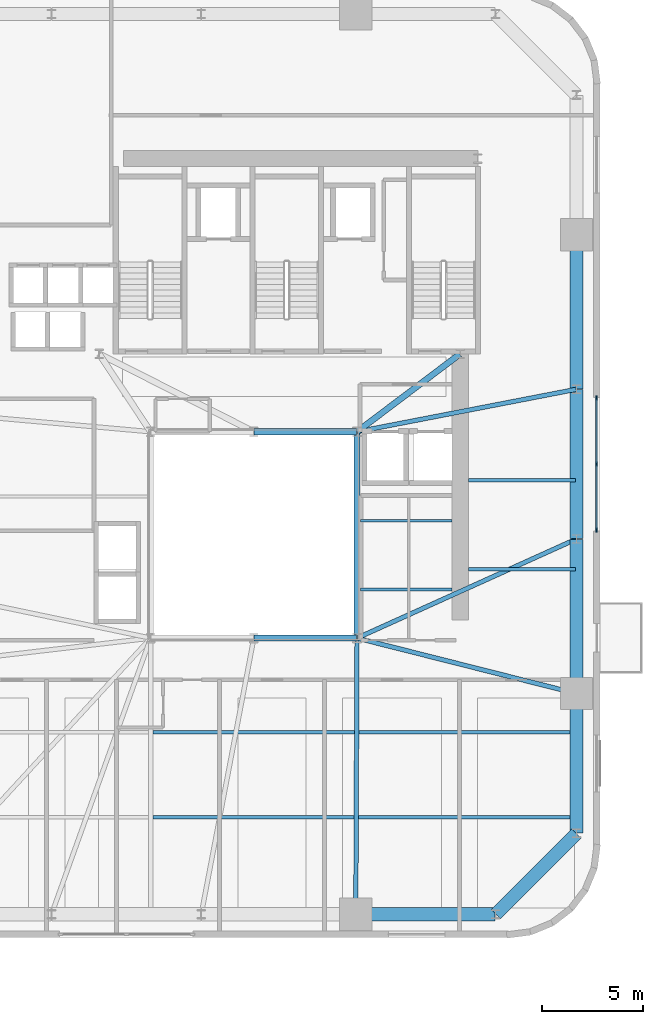
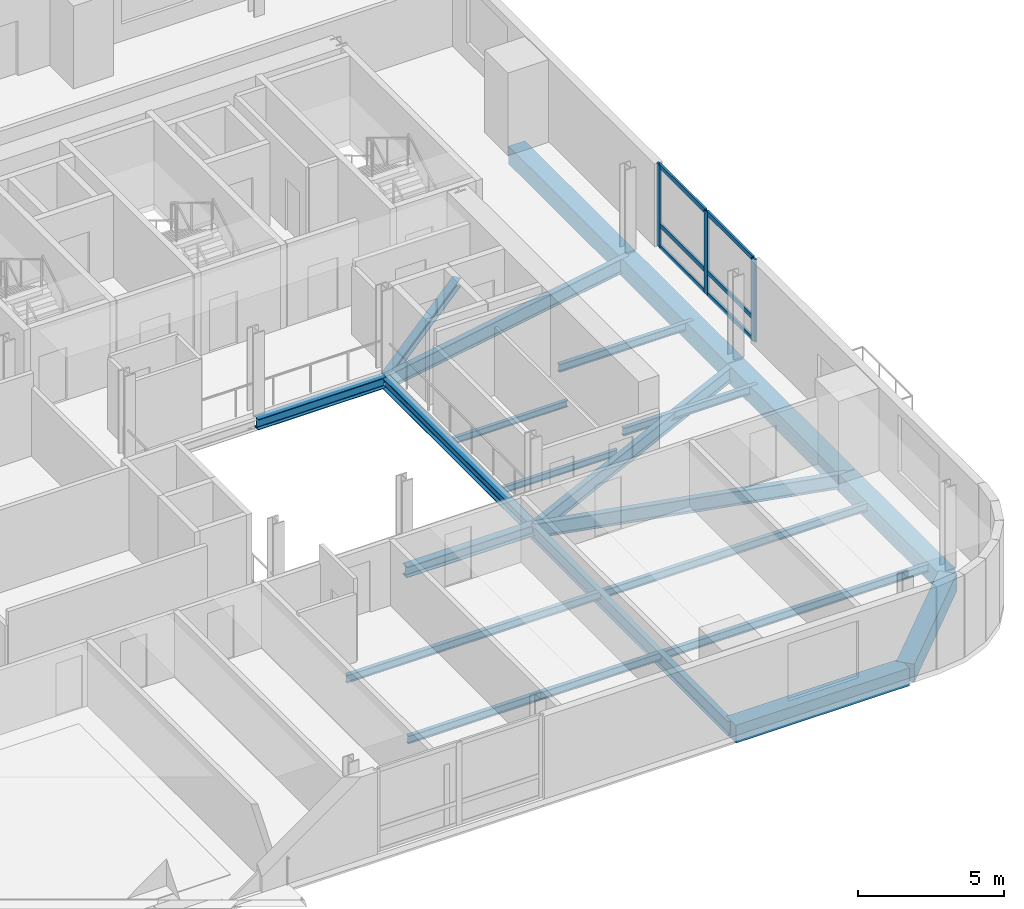
# One storey, part 3 of 14: 20 beams, 9 members, 1 element without a shape of its own.
"""IFC4 building model written with IfcOpenShell, lengths in metres."""

from ifc_helpers import new_model, si_unit, direction, frame, origin, origin_2d, place, context, subcontext, project, spatial, rectangle, i_section, extrude, source, transform, mapped, material, material_profile, profile_set, type_object, element, aggregate, save


model = new_model("IFC4")

# Units and contexts
model_context = context("Model", 3, precision=1e-05, world=origin(), true_north=direction((0.0, 1.0)))
body_context = subcontext(model_context, "Body", "Model", "MODEL_VIEW")
ifc_project = project(units=[si_unit("LENGTHUNIT", "METRE"), si_unit("AREAUNIT", "SQUARE_METRE"), si_unit("VOLUMEUNIT", "CUBIC_METRE"), si_unit("PLANEANGLEUNIT", "RADIAN"), si_unit("MASSUNIT", "GRAM", prefix="KILO")], contexts=[model_context])

# Site, building, storey
site_placement = place(None, origin())
site = spatial("IfcSite", under=ifc_project, at=site_placement, CompositionType="ELEMENT")
building_placement = place(site_placement, origin())
building = spatial("IfcBuilding", under=site, at=building_placement, Name="Vardaveli Station Tower", CompositionType="ELEMENT")
storey_placement = place(building_placement, frame((0.0, 0.0, 111.300048828125)))
storey = spatial("IfcBuildingStorey", under=building, at=storey_placement, Name="L28", CompositionType="ELEMENT", Elevation=111.300048828125)

# Beams
ifc_material_1 = material(Name="Structural steel S355J2", Category="steel")
ifc_material_profile_1 = material_profile(ifc_material_1, i_section(OverallWidth=0.300048828125, OverallDepth=0.449951171875, WebThickness=0.013916015625, FlangeThickness=0.02587890625, FilletRadius=0.027099609375, at=origin_2d()), Name="HEB 450")
ifc_profile_set_1 = profile_set([ifc_material_profile_1], Name="Structural steel S355J2")
beam_type_1 = type_object("IfcBeamType", Name="BM-HEB450", PredefinedType="BEAM", material=ifc_profile_set_1)
shared_shape_1 = source(origin(), body_context, "Body", "SweptSolid", [
    extrude(i_section(OverallWidth=0.300048828125, OverallDepth=0.449951171875, WebThickness=0.013916015625, FlangeThickness=0.02587890625, FilletRadius=0.027099609375, at=origin_2d()), origin(), (0.0, 0.0, 1.0), 5.059814453125),
])
for number, where, z_axis, x_axis, name in (
    (1, (36.320068359375, 16.60009765625, -0.465087890625), (1.0, 0.0, 0.0), (0.0, 1.0, 0.0), "ABM-L28-02"),
    (2, (41.3798828125, 26.800048828125, -0.465087890625), (-1.0, 0.0, 0.0), (0.0, -1.0, 0.0), "ABM-L28-04"),
):
    element("IfcBeam", number, at=place(storey_placement, frame(where, z_axis=z_axis, x_axis=x_axis)), inside=storey, type_object=beam_type_1, Name=name, PredefinedType="BEAM", context=body_context, shape_type="MappedRepresentation", body=[
        mapped(shared_shape_1, transform((0.0, 0.0, 0.0), scale=1.0)),
    ])
shared_shape_2 = source(origin(), body_context, "Body", "SweptSolid", [
    extrude(i_section(OverallWidth=0.300048828125, OverallDepth=0.449951171875, WebThickness=0.013916015625, FlangeThickness=0.02587890625, FilletRadius=0.027099609375, at=origin_2d()), origin(), (0.0, 0.0, 1.0), 10.159912109375),
])
beam_1_placement = place(storey_placement, frame((41.39990234375, 16.6201171875, -0.465087890625), z_axis=(0.0, 1.0, 0.0), x_axis=(-1.0, 0.0, 0.0)))
element("IfcBeam", 3, at=beam_1_placement, inside=storey, type_object=beam_type_1, Name="ABM-L28-03", PredefinedType="BEAM", context=body_context, shape_type="MappedRepresentation", body=[
    mapped(shared_shape_2, transform((0.0, 0.0, 0.0), scale=1.0)),
])
ifc_material_profile_2 = material_profile(ifc_material_1, i_section(OverallWidth=0.300048828125, OverallDepth=0.360107421875, WebThickness=0.012451171875, FlangeThickness=0.0224609375, FilletRadius=0.027099609375, at=origin_2d()), Name="HEB 360")
ifc_profile_set_2 = profile_set([ifc_material_profile_2], Name="Structural steel S355J2")
beam_type_2 = type_object("IfcBeamType", Name="BM-HEB360", PredefinedType="BEAM", material=ifc_profile_set_2)
shared_shape_3 = source(origin(), body_context, "Body", "SweptSolid", [
    extrude(i_section(OverallWidth=0.300048828125, OverallDepth=0.360107421875, WebThickness=0.012451171875, FlangeThickness=0.0224609375, FilletRadius=0.027099609375, at=origin_2d()), origin(), (0.0, 0.0, 1.0), 6.35009765625),
])
beam_2_placement = place(storey_placement, frame((41.416015625, 26.81201171875, -0.420166015625), z_axis=(0.798118337722, 0.602500721154, 0.0), x_axis=(-0.602500721154, 0.798118337722, 0.0)))
element("IfcBeam", 4, at=beam_2_placement, inside=storey, type_object=beam_type_2, Name="CBM-L28-02", PredefinedType="BEAM", context=body_context, shape_type="MappedRepresentation", body=[
    mapped(shared_shape_3, transform((0.0, 0.0, 0.0), scale=1.0)),
])
ifc_material_2 = material(Name="Precast concrete C45/55", Category="concrete")
ifc_material_profile_3 = material_profile(ifc_material_2, rectangle(XDim=0.64990234375, YDim=0.75, at=origin_2d()), Name="LPB 650x750")
ifc_profile_set_3 = profile_set([ifc_material_profile_3], Name="Precast concrete C45/55")
beam_type_3 = type_object("IfcBeamType", Name="BM-LPB-750", PredefinedType="BEAM", material=ifc_profile_set_3)
shared_shape_4 = source(origin(), body_context, "Body", "SweptSolid", [
    extrude(rectangle(XDim=0.64990234375, YDim=0.75, at=origin_2d()), origin(), (0.0, 0.0, 1.0), 7.60009765625),
])
for number, where, z_axis, x_axis, name in (
    (5, (52.25, 13.8798828125, -0.614990234375), (0.0, 1.0, 0.0), (-1.0, 0.0, 0.0), "RBM-L28-07"),
    (6, (52.25, 28.919921875, -0.614990234375), (0.0, 1.0, 0.0), (-1.0, 0.0, 0.0), "RBM-L28-09"),
):
    element("IfcBeam", number, at=place(storey_placement, frame(where, z_axis=z_axis, x_axis=x_axis)), inside=storey, type_object=beam_type_3, Name=name, PredefinedType="BEAM", context=body_context, shape_type="MappedRepresentation", body=[
        mapped(shared_shape_4, transform((0.0, 0.0, 0.0), scale=1.0)),
    ])
shared_shape_5 = source(origin(), body_context, "Body", "SweptSolid", [
    extrude(rectangle(XDim=0.64990234375, YDim=0.75, at=origin_2d()), origin(), (0.0, 0.0, 1.0), 7.35986328125),
])
beam_3_placement = place(storey_placement, frame((52.25, 21.52001953125, -0.614990234375), z_axis=(0.0, 1.0, 0.0), x_axis=(-1.0, 0.0, 0.0)))
element("IfcBeam", 7, at=beam_3_placement, inside=storey, type_object=beam_type_3, Name="RBM-L28-08", PredefinedType="BEAM", context=body_context, shape_type="MappedRepresentation", body=[
    mapped(shared_shape_5, transform((0.0, 0.0, 0.0), scale=1.0)),
])
shared_shape_6 = source(origin(), body_context, "Body", "SweptSolid", [
    extrude(rectangle(XDim=0.64990234375, YDim=0.75, at=origin_2d()), origin(), (0.0, 0.0, 1.0), 6.869873046875),
])
beam_4_placement = place(storey_placement, frame((41.360107421875, 2.949951171875, -0.614990234375), z_axis=(1.0, 0.0, 0.0), x_axis=(0.0, 1.0, 0.0)))
element("IfcBeam", 8, at=beam_4_placement, inside=storey, type_object=beam_type_3, Name="RBM-L28-04", PredefinedType="BEAM", context=body_context, shape_type="MappedRepresentation", body=[
    mapped(shared_shape_6, transform((0.0, 0.0, 0.0), scale=1.0)),
])
shared_shape_7 = source(origin(), body_context, "Body", "SweptSolid", [
    extrude(rectangle(XDim=0.64990234375, YDim=0.75, at=origin_2d()), origin(), (0.0, 0.0, 1.0), 5.61669921875),
])
beam_5_placement = place(storey_placement, frame((48.26416015625, 2.964111328125, -0.614990234375), z_axis=(0.707106781187, 0.707106781187, 0.0), x_axis=(-0.707106781187, 0.707106781187, 0.0)))
element("IfcBeam", 9, at=beam_5_placement, inside=storey, type_object=beam_type_3, Name="RBM-L28-05", PredefinedType="BEAM", context=body_context, shape_type="MappedRepresentation", body=[
    mapped(shared_shape_7, transform((0.0, 0.0, 0.0), scale=1.0)),
])
shared_shape_8 = source(origin(), body_context, "Body", "SweptSolid", [
    extrude(rectangle(XDim=0.64990234375, YDim=0.75, at=origin_2d()), origin(), (0.0, 0.0, 1.0), 6.8701171875),
])
beam_6_placement = place(storey_placement, frame((52.25, 6.969970703125, -0.614990234375), z_axis=(0.0, 1.0, 0.0), x_axis=(-1.0, 0.0, 0.0)))
element("IfcBeam", 10, at=beam_6_placement, inside=storey, type_object=beam_type_3, Name="RBM-L28-06", PredefinedType="BEAM", context=body_context, shape_type="MappedRepresentation", body=[
    mapped(shared_shape_8, transform((0.0, 0.0, 0.0), scale=1.0)),
])
ifc_material_profile_4 = material_profile(ifc_material_1, i_section(OverallWidth=0.159912109375, OverallDepth=0.330078125, WebThickness=0.007568359375, FlangeThickness=0.011474609375, FilletRadius=0.01806640625, at=origin_2d()), Name="IPE 330")
ifc_profile_set_4 = profile_set([ifc_material_profile_4], Name="Structural steel S355J2")
beam_type_4 = type_object("IfcBeamType", Name="BM-IPE330", PredefinedType="JOIST", material=ifc_profile_set_4)
shared_shape_9 = source(origin(), body_context, "Body", "SweptSolid", [
    extrude(i_section(OverallWidth=0.159912109375, OverallDepth=0.330078125, WebThickness=0.007568359375, FlangeThickness=0.011474609375, FilletRadius=0.01806640625, at=origin_2d()), origin(), (0.0, 0.0, 1.0), 20.89794921875),
])
for number, where, z_axis, x_axis, name in (
    (11, (31.31201171875, 7.75, -0.405029296875), (1.0, 0.0, 0.0), (0.0, 1.0, 0.0), "SJ-L28-S02"),
    (12, (31.31201171875, 11.949951171875, -0.405029296875), (1.0, 0.0, 0.0), (0.0, 1.0, 0.0), "SJ-L28-S04"),
):
    element("IfcBeam", number, at=place(storey_placement, frame(where, z_axis=z_axis, x_axis=x_axis)), inside=storey, type_object=beam_type_4, Name=name, PredefinedType="JOIST", context=body_context, shape_type="MappedRepresentation", body=[
        mapped(shared_shape_9, transform((0.0, 0.0, 0.0), scale=1.0)),
    ])
shared_shape_10 = source(origin(), body_context, "Body", "SweptSolid", [
    extrude(i_section(OverallWidth=0.159912109375, OverallDepth=0.330078125, WebThickness=0.007568359375, FlangeThickness=0.011474609375, FilletRadius=0.01806640625, at=origin_2d()), origin(), (0.0, 0.0, 1.0), 5.304931640625),
])
for number, where, z_axis, x_axis, name in (
    (13, (46.905029296875, 20.0, -0.405029296875), (1.0, 0.0, 0.0), (0.0, 1.0, 0.0), "SJ-L28-E07"),
    (14, (46.905029296875, 24.39990234375, -0.405029296875), (1.0, 0.0, 0.0), (0.0, 1.0, 0.0), "SJ-L28-E08"),
):
    element("IfcBeam", number, at=place(storey_placement, frame(where, z_axis=z_axis, x_axis=x_axis)), inside=storey, type_object=beam_type_4, Name=name, PredefinedType="JOIST", context=body_context, shape_type="MappedRepresentation", body=[
        mapped(shared_shape_10, transform((0.0, 0.0, 0.0), scale=1.0)),
    ])
ifc_material_profile_5 = material_profile(ifc_material_1, i_section(OverallWidth=0.135009765625, OverallDepth=0.27001953125, WebThickness=0.006591796875, FlangeThickness=0.01025390625, FilletRadius=0.014892578125, at=origin_2d()), Name="IPE 270")
ifc_profile_set_5 = profile_set([ifc_material_profile_5], Name="Structural steel S355J2")
beam_type_5 = type_object("IfcBeamType", Name="BM-IPE270", PredefinedType="BEAM", material=ifc_profile_set_5)
shared_shape_11 = source(origin(), body_context, "Body", "SweptSolid", [
    extrude(i_section(OverallWidth=0.135009765625, OverallDepth=0.27001953125, WebThickness=0.006591796875, FlangeThickness=0.01025390625, FilletRadius=0.014892578125, at=origin_2d()), origin(), (0.0, 0.0, 1.0), 4.530029296875),
])
for number, where, z_axis, x_axis, name in (
    (15, (41.56494140625, 19.0, -0.375), (1.0, 0.0, 0.0), (0.0, 1.0, 0.0), "TJ-L28-01"),
    (16, (41.56494140625, 22.39990234375, -0.375), (1.0, 0.0, 0.0), (0.0, 1.0, 0.0), "TJ-L28-02"),
):
    element("IfcBeam", number, at=place(storey_placement, frame(where, z_axis=z_axis, x_axis=x_axis)), inside=storey, type_object=beam_type_5, Name=name, PredefinedType="BEAM", context=body_context, shape_type="MappedRepresentation", body=[
        mapped(shared_shape_11, transform((0.0, 0.0, 0.0), scale=1.0)),
    ])
ifc_material_profile_6 = material_profile(ifc_material_1, i_section(OverallWidth=0.219970703125, OverallDepth=0.60009765625, WebThickness=0.011962890625, FlangeThickness=0.01904296875, FilletRadius=0.02392578125, at=origin_2d()), Name="IPE 600")
ifc_profile_set_6 = profile_set([ifc_material_profile_6], Name="Structural steel S355J2")
beam_type_6 = type_object("IfcBeamType", Name="BM-IPE600", PredefinedType="BEAM", material=ifc_profile_set_6)
shared_shape_12 = source(origin(), body_context, "Body", "SweptSolid", [
    extrude(i_section(OverallWidth=0.219970703125, OverallDepth=0.60009765625, WebThickness=0.011962890625, FlangeThickness=0.01904296875, FilletRadius=0.02392578125, at=origin_2d()), origin(), (0.0, 0.0, 1.0), 13.6103515625),
])
beam_7_placement = place(storey_placement, frame((41.340087890625, 2.969970703125, -0.5400390625), z_axis=(0.004394812886, 0.999990342763, 0.0), x_axis=(-0.999990342763, 0.004394812886, 0.0)))
element("IfcBeam", 17, at=beam_7_placement, inside=storey, type_object=beam_type_6, Name="GBM-L28-04", PredefinedType="BEAM", context=body_context, shape_type="MappedRepresentation", body=[
    mapped(shared_shape_12, transform((0.0, 0.0, 0.0), scale=1.0)),
])
shared_shape_13 = source(origin(), body_context, "Body", "SweptSolid", [
    extrude(i_section(OverallWidth=0.219970703125, OverallDepth=0.60009765625, WebThickness=0.011962890625, FlangeThickness=0.01904296875, FilletRadius=0.02392578125, at=origin_2d()), origin(), (0.0, 0.0, 1.0), 11.150634765625),
])
beam_8_placement = place(storey_placement, frame((52.230712890625, 13.864990234375, -0.5400390625), z_axis=(-0.969561465826, 0.244848042642, 0.0), x_axis=(-0.244848042642, -0.969561465826, 0.0)))
element("IfcBeam", 18, at=beam_8_placement, inside=storey, type_object=beam_type_6, Name="GBM-L28-05", PredefinedType="BEAM", context=body_context, shape_type="MappedRepresentation", body=[
    mapped(shared_shape_13, transform((0.0, 0.0, 0.0), scale=1.0)),
])
shared_shape_14 = source(origin(), body_context, "Body", "SweptSolid", [
    extrude(i_section(OverallWidth=0.219970703125, OverallDepth=0.60009765625, WebThickness=0.011962890625, FlangeThickness=0.01904296875, FilletRadius=0.02392578125, at=origin_2d()), origin(), (0.0, 0.0, 1.0), 11.864990234375),
])
beam_9_placement = place(storey_placement, frame((52.231689453125, 21.49169921875, -0.5400390625), z_axis=(-0.911369354756, -0.411589478985, 0.0), x_axis=(0.411589478985, -0.911369354756, 0.0)))
element("IfcBeam", 19, at=beam_9_placement, inside=storey, type_object=beam_type_6, Name="GBM-L28-06", PredefinedType="BEAM", context=body_context, shape_type="MappedRepresentation", body=[
    mapped(shared_shape_14, transform((0.0, 0.0, 0.0), scale=1.0)),
])
shared_shape_15 = source(origin(), body_context, "Body", "SweptSolid", [
    extrude(i_section(OverallWidth=0.219970703125, OverallDepth=0.60009765625, WebThickness=0.011962890625, FlangeThickness=0.01904296875, FilletRadius=0.02392578125, at=origin_2d()), origin(), (0.0, 0.0, 1.0), 11.011474609375),
])
beam_10_placement = place(storey_placement, frame((52.23046875, 28.896240234375, -0.5400390625), z_axis=(-0.981777849093, -0.190032247343, 0.0), x_axis=(0.190032247343, -0.981777849093, 0.0)))
element("IfcBeam", 20, at=beam_10_placement, inside=storey, type_object=beam_type_6, Name="GBM-L28-07", PredefinedType="BEAM", context=body_context, shape_type="MappedRepresentation", body=[
    mapped(shared_shape_15, transform((0.0, 0.0, 0.0), scale=1.0)),
])

# Curtain wall, members
ifc_material_3 = material(Name="Travertine stone and solar-control glass", Category="masonry")
curtain_wall_type = type_object("IfcCurtainWallType", Name="CW-SYS-2", PredefinedType="NOTDEFINED", material=ifc_material_3)
curtain_wall_placement = place(storey_placement, origin())
curtain_wall = element("IfcCurtainWall", 21, at=curtain_wall_placement, inside=storey, type_object=curtain_wall_type, Name="CW-L28-E", PredefinedType="NOTDEFINED")
ifc_material_4 = material(Name="Anodised aluminium alloy 6063-T6", Category="aluminium")
ifc_material_profile_7 = material_profile(ifc_material_4, rectangle(XDim=0.0849609375, YDim=0.179931640625, at=origin_2d()), Name="CWT 85x180")
ifc_profile_set_7 = profile_set([ifc_material_profile_7], Name="Anodised aluminium alloy 6063-T6")
member_type_1 = type_object("IfcMemberType", Name="CW-SYS-2-TRAN", PredefinedType="NOTDEFINED", material=ifc_profile_set_7)
shared_shape_16 = source(origin(), body_context, "Body", "SweptSolid", [
    extrude(rectangle(XDim=0.0849609375, YDim=0.179931640625, at=origin_2d()), origin(), (0.0, 0.0, 1.0), 3.172607421875),
])
member_1_placement = place(storey_placement, frame((53.239990234375, 25.242431640625, 0.04248046875), z_axis=(0.0, 1.0, 0.0), x_axis=(-1.0, 0.0, 0.0)))
member_1 = element("IfcMember", 22, at=member_1_placement, type_object=member_type_1, Name="CW-2 transom 2.1", ObjectType="TRANSOM", PredefinedType="USERDEFINED", context=body_context, shape_type="MappedRepresentation", body=[
    mapped(shared_shape_16, transform((0.0, 0.0, 0.0), scale=1.0)),
])
member_2_placement = place(storey_placement, frame((53.239990234375, 25.242431640625, 0.949951171875), z_axis=(0.0, 1.0, 0.0), x_axis=(-1.0, 0.0, 0.0)))
member_2 = element("IfcMember", 23, at=member_2_placement, type_object=member_type_1, Name="CW-2 transom 2.2", ObjectType="TRANSOM", PredefinedType="USERDEFINED", context=body_context, shape_type="MappedRepresentation", body=[
    mapped(shared_shape_16, transform((0.0, 0.0, 0.0), scale=1.0)),
])
member_3_placement = place(storey_placement, frame((53.239990234375, 25.242431640625, 3.41748046875), z_axis=(0.0, 1.0, 0.0), x_axis=(-1.0, 0.0, 0.0)))
member_3 = element("IfcMember", 24, at=member_3_placement, type_object=member_type_1, Name="CW-2 transom 2.3", ObjectType="TRANSOM", PredefinedType="USERDEFINED", context=body_context, shape_type="MappedRepresentation", body=[
    mapped(shared_shape_16, transform((0.0, 0.0, 0.0), scale=1.0)),
])
shared_shape_17 = source(origin(), body_context, "Body", "SweptSolid", [
    extrude(rectangle(XDim=0.0849609375, YDim=0.179931640625, at=origin_2d()), origin(), (0.0, 0.0, 1.0), 3.17236328125),
])
member_4_placement = place(storey_placement, frame((53.239990234375, 21.985107421875, 0.04248046875), z_axis=(0.0, 1.0, 0.0), x_axis=(-1.0, 0.0, 0.0)))
member_4 = element("IfcMember", 25, at=member_4_placement, type_object=member_type_1, Name="CW-2 transom 1.1", ObjectType="TRANSOM", PredefinedType="USERDEFINED", context=body_context, shape_type="MappedRepresentation", body=[
    mapped(shared_shape_17, transform((0.0, 0.0, 0.0), scale=1.0)),
])
member_5_placement = place(storey_placement, frame((53.239990234375, 21.985107421875, 0.949951171875), z_axis=(0.0, 1.0, 0.0), x_axis=(-1.0, 0.0, 0.0)))
member_5 = element("IfcMember", 26, at=member_5_placement, type_object=member_type_1, Name="CW-2 transom 1.2", ObjectType="TRANSOM", PredefinedType="USERDEFINED", context=body_context, shape_type="MappedRepresentation", body=[
    mapped(shared_shape_17, transform((0.0, 0.0, 0.0), scale=1.0)),
])
member_6_placement = place(storey_placement, frame((53.239990234375, 21.985107421875, 3.41748046875), z_axis=(0.0, 1.0, 0.0), x_axis=(-1.0, 0.0, 0.0)))
member_6 = element("IfcMember", 27, at=member_6_placement, type_object=member_type_1, Name="CW-2 transom 1.3", ObjectType="TRANSOM", PredefinedType="USERDEFINED", context=body_context, shape_type="MappedRepresentation", body=[
    mapped(shared_shape_17, transform((0.0, 0.0, 0.0), scale=1.0)),
])
ifc_material_profile_8 = material_profile(ifc_material_4, rectangle(XDim=0.0849609375, YDim=0.219970703125, at=origin_2d()), Name="CWM 85x220")
ifc_profile_set_8 = profile_set([ifc_material_profile_8], Name="Anodised aluminium alloy 6063-T6")
member_type_2 = type_object("IfcMemberType", Name="CW-SYS-2-MULL", PredefinedType="MULLION", material=ifc_profile_set_8)
shared_shape_18 = source(origin(), body_context, "Body", "SweptSolid", [
    extrude(rectangle(XDim=0.0849609375, YDim=0.219970703125, at=origin_2d()), origin(), (0.0, 0.0, 1.0), 3.4599609375),
])
member_7_placement = place(storey_placement, frame((53.239990234375, 21.9423828125, 0.0), z_axis=(0.0, 0.0, 1.0), x_axis=(-1.0, 0.0, 0.0)))
member_7 = element("IfcMember", 28, at=member_7_placement, type_object=member_type_2, Name="CW-2 mullion 1", PredefinedType="MULLION", context=body_context, shape_type="MappedRepresentation", body=[
    mapped(shared_shape_18, transform((0.0, 0.0, 0.0), scale=1.0)),
])
member_8_placement = place(storey_placement, frame((53.239990234375, 25.199951171875, 0.0), z_axis=(0.0, 0.0, 1.0), x_axis=(-1.0, 0.0, 0.0)))
member_8 = element("IfcMember", 29, at=member_8_placement, type_object=member_type_2, Name="CW-2 mullion 2", PredefinedType="MULLION", context=body_context, shape_type="MappedRepresentation", body=[
    mapped(shared_shape_18, transform((0.0, 0.0, 0.0), scale=1.0)),
])
member_9_placement = place(storey_placement, frame((53.239990234375, 28.45751953125, 0.0), z_axis=(0.0, 0.0, 1.0), x_axis=(-1.0, 0.0, 0.0)))
member_9 = element("IfcMember", 30, at=member_9_placement, type_object=member_type_2, Name="CW-2 mullion 3", PredefinedType="MULLION", context=body_context, shape_type="MappedRepresentation", body=[
    mapped(shared_shape_18, transform((0.0, 0.0, 0.0), scale=1.0)),
])
aggregate(curtain_wall, [member_7, member_8, member_9, member_4, member_5, member_6, member_1, member_2, member_3])

save(model, "model.ifc")
